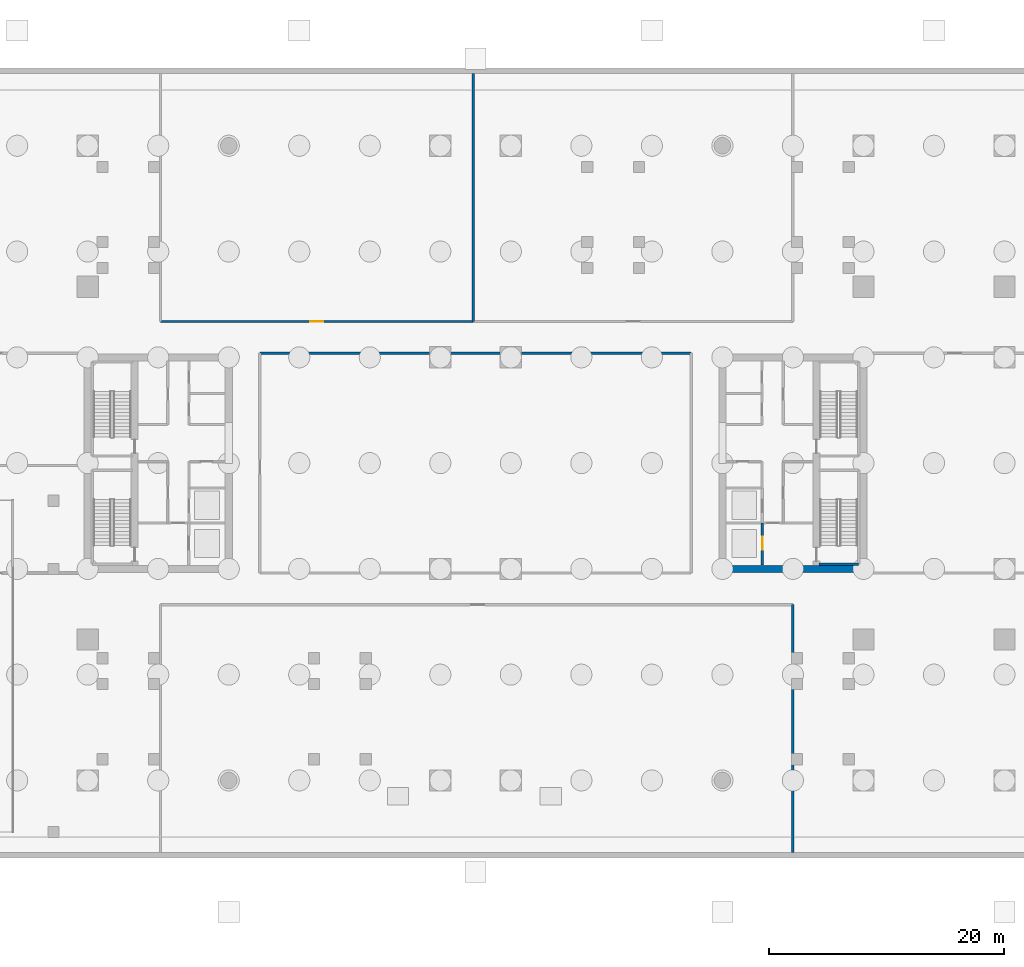
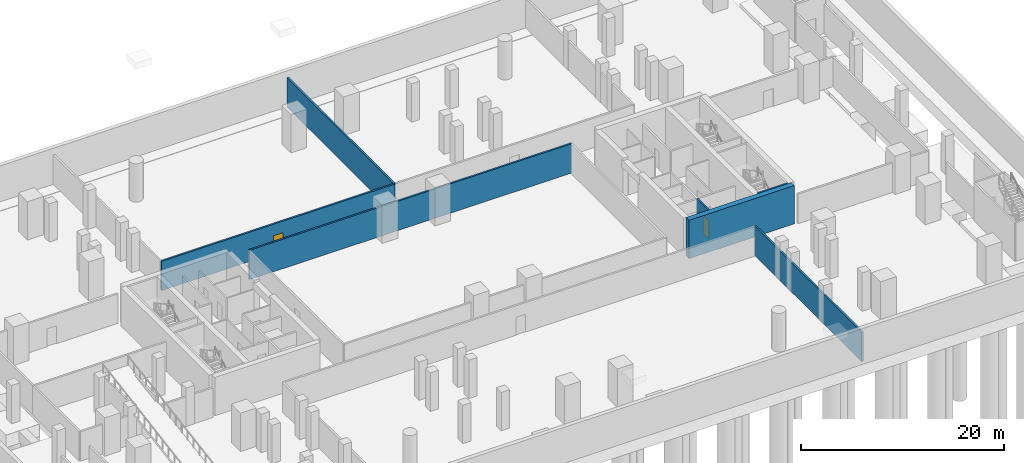
# One storey, part 7 of 14: 7 walls, 2 doors, 2 openings.
"""IFC4 building model written with IfcOpenShell, lengths in metres."""

from ifc_helpers import new_model, si_unit, direction, frame, frame_2d, origin, place, context, subcontext, project, spatial, rectangle, extrude, material, layer, layer_set, type_object, element, fill, save


model = new_model("IFC4")

# Units and contexts
model_context = context("Model", 3, precision=1e-05, world=origin(), true_north=direction((0.0, 1.0)))
body_context = subcontext(model_context, "Body", "Model", "MODEL_VIEW")
ifc_project = project(units=[si_unit("LENGTHUNIT", "METRE"), si_unit("AREAUNIT", "SQUARE_METRE"), si_unit("VOLUMEUNIT", "CUBIC_METRE"), si_unit("PLANEANGLEUNIT", "RADIAN"), si_unit("MASSUNIT", "GRAM", prefix="KILO")], contexts=[model_context])

# Site, building, storey
site_placement = place(None, origin())
site = spatial("IfcSite", under=ifc_project, at=site_placement, CompositionType="ELEMENT")
building_placement = place(site_placement, origin())
building = spatial("IfcBuilding", under=site, at=building_placement, Name="Tanjung Sevakor Pilgrim Tower", CompositionType="ELEMENT")
storey_placement = place(building_placement, frame((0.0, 0.0, -9.239990234375)))
storey = spatial("IfcBuildingStorey", under=building, at=storey_placement, Name="B02", CompositionType="ELEMENT", Elevation=-9.239990234375)

# Walls
ifc_material_1 = material(Name="Concrete C60/75", Category="concrete")
ifc_layer_1 = layer(ifc_material_1, 0.60009765625)
ifc_layer_set_1 = layer_set([ifc_layer_1], Name="WALL-CW-600B")
wall_type_1 = type_object("IfcWallType", Name="WALL-CW-600B", PredefinedType="SHEAR", material=ifc_layer_set_1)
wall_1_placement = place(storey_placement, frame((78.0, 24.60009765625, 0.0), z_axis=(0.0, 0.0, 1.0), x_axis=(1.0, 0.0, 0.0)))
element("IfcWall", 1, at=wall_1_placement, inside=storey, type_object=wall_type_1, Name="B02 E Core South Shear Wall", PredefinedType="SHEAR", context=body_context, shape_type="SweptSolid", body=[
    extrude(rectangle(XDim=12.0, YDim=0.60009765625, at=frame_2d((6.0, 0.0))), origin(), (0.0, 0.0, 1.0), 4.619873046875),
])
ifc_material_2 = material(Name="Concrete C40/50", Category="concrete")
ifc_layer_2 = layer(ifc_material_2, 0.199951171875)
ifc_layer_set_2 = layer_set([ifc_layer_2], Name="WT-FIRE-200")
wall_type_2 = type_object("IfcWallType", Name="WT-FIRE-200", PredefinedType="SOLIDWALL", material=ifc_layer_set_2)
wall_2_placement = place(storey_placement, frame((86.199951171875, 25.0, 0.0), z_axis=(0.0, 0.0, 1.0), x_axis=(1.0, 0.0, 0.0)))
element("IfcWall", 2, at=wall_2_placement, inside=storey, type_object=wall_type_2, Name="B02 TS-E1 Shaft Wall 1", PredefinedType="SOLIDWALL", context=body_context, shape_type="SweptSolid", body=[
    extrude(rectangle(XDim=3.400146484375, YDim=0.199951171875, at=frame_2d((1.7001953125, 0.0))), origin(), (0.0, 0.0, 1.0), 4.619873046875),
])

# Wall, opening, door
ifc_material_3 = material(Name="Concrete C40/50", Category="concrete")
ifc_layer_3 = layer(ifc_material_3, 0.199951171875)
ifc_layer_set_3 = layer_set([ifc_layer_3], Name="WT-FPRT-200")
wall_type_3 = type_object("IfcWallType", Name="WT-FPRT-200", PredefinedType="SOLIDWALL", material=ifc_layer_set_3)
wall_3_placement = place(storey_placement, frame((81.39990234375, 24.919921875, 0.0), z_axis=(0.0, 0.0, 1.0), x_axis=(0.0, 1.0, 0.0)))
wall_3 = element("IfcWall", 3, at=wall_3_placement, inside=storey, type_object=wall_type_3, Name="B02 Partition IW-B02-014", PredefinedType="SOLIDWALL", context=body_context, shape_type="SweptSolid", body=[
    extrude(rectangle(XDim=3.580078125, YDim=0.199951171875, at=frame_2d((1.7900390625, 0.0))), origin(), (0.0, 0.0, 1.0), 3.5400390625),
])
opening_1_placement = place(wall_3_placement, frame((1.300048828125, 0.0, 0.0)))
opening_1 = element("IfcOpeningElement", 4, at=opening_1_placement, cuts=wall_3, Name="Opening LD-1100", PredefinedType="OPENING", context=body_context, shape_type="SweptSolid", body=[
    extrude(rectangle(XDim=1.10009765625, YDim=2.199951171875, at=frame_2d((0.550048828125, 1.10009765625))), frame((0.0, 0.10986328125, 0.0), z_axis=(0.0, -1.0, 0.0), x_axis=(1.0, 0.0, 0.0)), (0.0, 0.0, 1.0), 0.219970703125),
])
ifc_material_4 = material(Name="Brushed Stainless Steel S355J2", Category="steel")
door_type_1 = type_object("IfcDoorType", Name="DT-LIFT-1100", OperationType="SLIDING_TO_LEFT", PredefinedType="DOOR", material=ifc_material_4)
door_1_placement = place(opening_1_placement, origin())
door_1 = element("IfcDoor", 5, at=door_1_placement, inside=storey, type_object=door_type_1, Name="LD-FL-E", OperationType="SLIDING_TO_LEFT", OverallHeight=2.199951171875, OverallWidth=1.10009765625, PredefinedType="DOOR", context=body_context, shape_type="SweptSolid", body=[
    extrude(rectangle(XDim=1.10009765625, YDim=2.199951171875, at=frame_2d((0.550048828125, 1.10009765625))), frame((0.0, 0.02490234375, 0.0), z_axis=(0.0, -1.0, 0.0), x_axis=(1.0, 0.0, 0.0)), (0.0, 0.0, 1.0), 0.050048828125),
])
fill(opening_1, door_1)

# Walls
wall_4_placement = place(storey_placement, frame((84.0, 0.449951171875, 0.0), z_axis=(0.0, 0.0, 1.0), x_axis=(0.0, 1.0, 0.0)))
element("IfcWall", 6, at=wall_4_placement, inside=storey, type_object=wall_type_3, Name="B02 Partition IW-B02-037", PredefinedType="SOLIDWALL", context=body_context, shape_type="SweptSolid", body=[
    extrude(rectangle(XDim=21.10009765625, YDim=0.199951171875, at=frame_2d((10.550048828125, 0.0))), origin(), (0.0, 0.0, 1.0), 3.5400390625),
])
wall_5_placement = place(storey_placement, frame((38.64990234375, 42.949951171875, 0.0), z_axis=(0.0, 0.0, 1.0), x_axis=(1.0, 0.0, 0.0)))
element("IfcWall", 7, at=wall_5_placement, inside=storey, type_object=wall_type_3, Name="B02 Partition IW-B02-039", PredefinedType="SOLIDWALL", context=body_context, shape_type="SweptSolid", body=[
    extrude(rectangle(XDim=36.7001953125, YDim=0.199951171875, at=frame_2d((18.35009765625, 0.0))), origin(), (0.0, 0.0, 1.0), 3.5400390625),
])

# Wall, opening, door
wall_6_placement = place(storey_placement, frame((30.199951171875, 45.64990234375, 0.0), z_axis=(0.0, 0.0, 1.0), x_axis=(1.0, 0.0, 0.0)))
wall_6 = element("IfcWall", 8, at=wall_6_placement, inside=storey, type_object=wall_type_3, Name="B02 Partition IW-B02-050", PredefinedType="SOLIDWALL", context=body_context, shape_type="SweptSolid", body=[
    extrude(rectangle(XDim=26.60009765625, YDim=0.199951171875, at=frame_2d((13.300048828125, 0.0))), origin(), (0.0, 0.0, 1.0), 3.5400390625),
])
opening_2_placement = place(wall_6_placement, frame((12.75, 0.0, 0.0)))
opening_2 = element("IfcOpeningElement", 9, at=opening_2_placement, cuts=wall_6, Name="Opening ID-FD0", PredefinedType="OPENING", context=body_context, shape_type="SweptSolid", body=[
    extrude(rectangle(XDim=1.10009765625, YDim=2.14990234375, at=frame_2d((0.550048828125, 1.074951171875))), frame((0.0, 0.10986328125, 0.0), z_axis=(0.0, -1.0, 0.0), x_axis=(1.0, 0.0, 0.0)), (0.0, 0.0, 1.0), 0.219970703125),
])
ifc_material_5 = material(Name="Fire-Rated Steel S355J2", Category="steel")
door_type_2 = type_object("IfcDoorType", Name="DT-FIRE-1100", OperationType="NOTDEFINED", PredefinedType="DOOR", material=ifc_material_5)
door_2_placement = place(opening_2_placement, origin())
door_2 = element("IfcDoor", 10, at=door_2_placement, inside=storey, type_object=door_type_2, Name="B02 Baggage Hall Door", OperationType="SINGLE_SWING_LEFT", OverallHeight=2.14990234375, OverallWidth=1.10009765625, PredefinedType="DOOR", context=body_context, shape_type="SweptSolid", body=[
    extrude(rectangle(XDim=1.10009765625, YDim=2.14990234375, at=frame_2d((0.550048828125, 1.074951171875))), frame((0.0, 0.02490234375, 0.0), z_axis=(0.0, -1.0, 0.0), x_axis=(1.0, 0.0, 0.0)), (0.0, 0.0, 1.0), 0.050048828125),
])
fill(opening_2, door_2)

# Wall
wall_7_placement = place(storey_placement, frame((56.800048828125, 45.64990234375, 0.0), z_axis=(0.0, 0.0, 1.0), x_axis=(0.0, 1.0, 0.0)))
element("IfcWall", 11, at=wall_7_placement, inside=storey, type_object=wall_type_3, Name="B02 Partition IW-B02-052", PredefinedType="SOLIDWALL", context=body_context, shape_type="SweptSolid", body=[
    extrude(rectangle(XDim=21.10009765625, YDim=0.199951171875, at=frame_2d((10.550048828125, 0.0))), origin(), (0.0, 0.0, 1.0), 3.5400390625),
])

save(model, "model.ifc")
